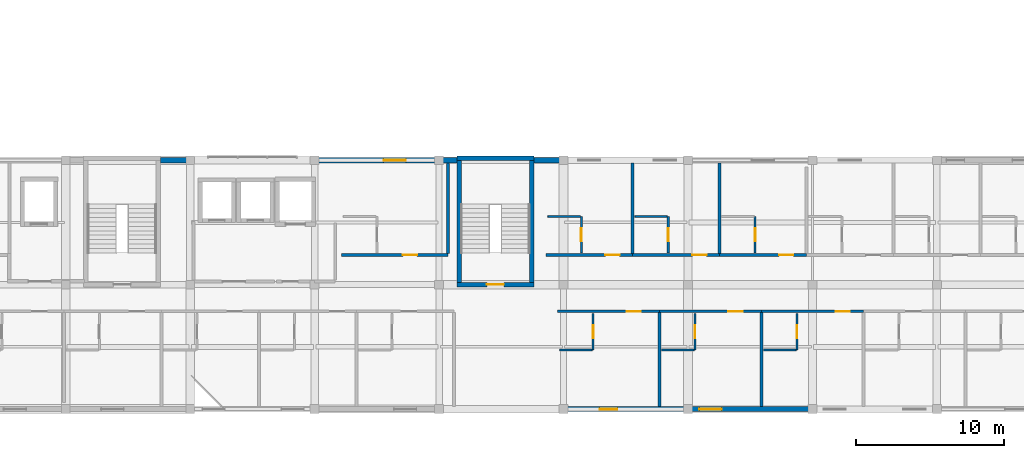
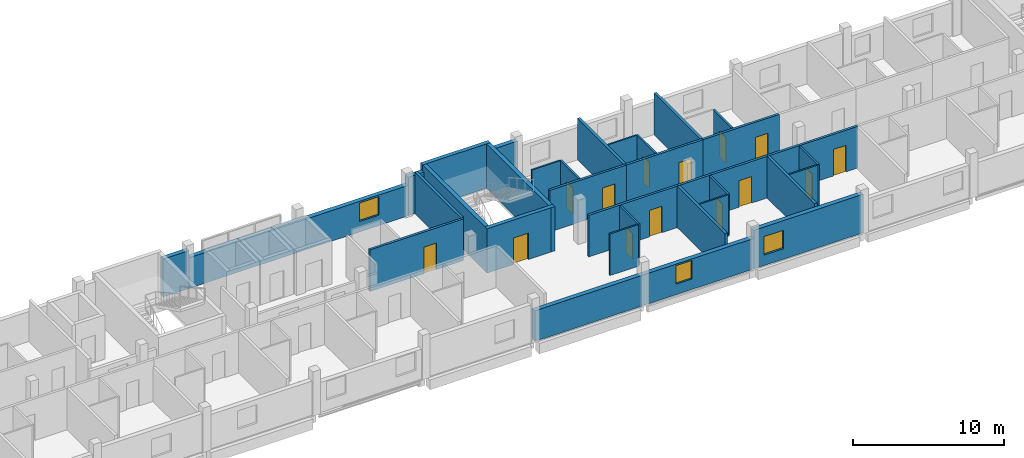
# One storey, part 18 of 24: 33 walls, 14 doors, 3 windows, 17 openings.
"""IFC4 building model written with IfcOpenShell, lengths in metres."""

import ifcopenshell
import ifcopenshell.guid

model = None  # the IFC model being written
_history = None  # IfcOwnerHistory: only IFC2X3 demands one
_inside = {}  # id of a spatial element -> (the spatial element, [elements in it])
_under = {}  # id of a project, library or spatial element -> (it, [spatial elements below it])
_declared = {}  # id of a project -> (the project, [libraries it declares])
_typed = {}  # id of a type object -> (the type object, [elements of that type])
_made_of = {}  # id of a material, layer set ... -> (it, [elements and type objects made of it])


def new_model(schema):
    """Start an empty IFC model of exactly this schema.

    Asked for "IFC4X3", IfcOpenShell would pick the latest addendum, in which some entities
    have other attributes; the version numbers below select the first issue.
    IFC2X3 requires an IfcOwnerHistory on every rooted entity: one is made here for all.
    """
    global model, _history
    if schema == "IFC4X3":
        model = ifcopenshell.file(schema_version=(4, 3, 0, 0))
    else:
        model = ifcopenshell.file(schema=schema)
    _inside.clear()
    _under.clear()
    _declared.clear()
    _typed.clear()
    _made_of.clear()
    _history = None
    if model.schema == "IFC2X3":
        org = make("IfcOrganization", Name="unknown")
        user = make(
            "IfcPersonAndOrganization",
            ThePerson=make("IfcPerson", FamilyName="unknown"),
            TheOrganization=org,
        )
        app = make(
            "IfcApplication",
            ApplicationDeveloper=org,
            Version="unknown",
            ApplicationFullName="unknown",
            ApplicationIdentifier="unknown",
        )
        _history = make(
            "IfcOwnerHistory",
            OwningUser=user,
            OwningApplication=app,
            ChangeAction="ADDED",
            CreationDate=0,
        )
    return model


def make(cls, **values):
    """One entity of the class cls with the attributes given. An attribute that is None is left unset."""
    return model.create_entity(
        cls, **{name: value for name, value in values.items() if value is not None}
    )


def rooted(cls, **values):
    """An entity with a GlobalId (a new one), such as an element, a storey or a relation."""
    return make(cls, GlobalId=ifcopenshell.guid.new(), OwnerHistory=_history, **values)


def si_unit(unit_type, name, prefix=None):
    """IfcSIUnit, for example si_unit("LENGTHUNIT", "METRE", prefix="MILLI")."""
    return make("IfcSIUnit", UnitType=unit_type, Prefix=prefix, Name=name)


def derived_unit(unit_type, elements):
    """IfcDerivedUnit: a product of units, each with its exponent."""
    return make(
        "IfcDerivedUnit",
        Elements=[
            make("IfcDerivedUnitElement", Unit=unit, Exponent=power)
            for unit, power in elements
        ],
        UnitType=unit_type,
    )


def assignment(units):
    """IfcUnitAssignment: the units of a project."""
    return None if units is None else make("IfcUnitAssignment", Units=units)


def point(xyz):
    """IfcCartesianPoint."""
    return None if xyz is None else make("IfcCartesianPoint", Coordinates=xyz)


def direction(xyz):
    """IfcDirection."""
    return None if xyz is None else make("IfcDirection", DirectionRatios=xyz)


def frame(location, z_axis=None, x_axis=None):
    """IfcAxis2Placement3D, a coordinate frame: its origin and axes. An axis left out is left unset."""
    return make(
        "IfcAxis2Placement3D",
        Location=point(location),
        Axis=direction(z_axis),
        RefDirection=direction(x_axis),
    )


def frame_2d(location, x_axis=None):
    """IfcAxis2Placement2D, a coordinate frame in the plane: its origin and x axis."""
    return make(
        "IfcAxis2Placement2D", Location=point(location), RefDirection=direction(x_axis)
    )


def origin():
    """The frame at (0, 0, 0) with its axes left unset."""
    return frame((0.0, 0.0, 0.0))


def place(relative_to, where):
    """IfcLocalPlacement: puts the frame where relative to a parent placement (None: the world)."""
    return make(
        "IfcLocalPlacement", PlacementRelTo=relative_to, RelativePlacement=where
    )


def context(
    kind, dimensions, precision=None, world=None, true_north=None, identifier=None
):
    """IfcGeometricRepresentationContext, for example the 3D "Model" context."""
    return make(
        "IfcGeometricRepresentationContext",
        ContextIdentifier=identifier,
        ContextType=kind,
        CoordinateSpaceDimension=dimensions,
        Precision=precision,
        WorldCoordinateSystem=world,
        TrueNorth=true_north,
    )


def subcontext(parent, identifier, kind, view, scale=None):
    """IfcGeometricRepresentationSubContext, for example "Body" below "Model"."""
    return make(
        "IfcGeometricRepresentationSubContext",
        ContextIdentifier=identifier,
        ContextType=kind,
        ParentContext=parent,
        TargetScale=scale,
        TargetView=view,
    )


def project(units=None, contexts=None):
    """IfcProject with its units and contexts."""
    return rooted(
        "IfcProject",
        Name="project",
        RepresentationContexts=contexts,
        UnitsInContext=assignment(units),
    )


def spatial(cls, under=None, at=None, **own):
    """A site, building, storey or space (cls), placed at a placement, below another one or the project."""
    s = rooted(cls, ObjectPlacement=at, **own)
    if under is not None:
        _under.setdefault(under.id(), (under, []))[1].append(s)
    return s


def profile(cls, at=None, kind="AREA", **sizes):
    """A parametric profile (cls). Its sizes go by their IFC names, for example OverallWidth=200.0."""
    return make(cls, ProfileType=kind, Position=at, **sizes)


def rectangle(**sizes):
    """IfcRectangleProfileDef."""
    return profile("IfcRectangleProfileDef", **sizes)


def extrude(swept, where, along, depth):
    """IfcExtrudedAreaSolid: the profile swept, set in the frame where, extruded along a direction by depth."""
    return make(
        "IfcExtrudedAreaSolid",
        SweptArea=swept,
        Position=where,
        ExtrudedDirection=direction(along),
        Depth=depth,
    )


def shape(context_of_items, identifier, shape_type, items):
    """IfcShapeRepresentation: the items that make up one representation, for example the "Body"."""
    return make(
        "IfcShapeRepresentation",
        ContextOfItems=context_of_items,
        RepresentationIdentifier=identifier,
        RepresentationType=shape_type,
        Items=items,
    )


def material(Name=None, Category=None):
    """IfcMaterial."""
    return make("IfcMaterial", Name=Name, Category=Category)


def layer(
    of_material, thickness, ventilated=None, Name=None, Category=None, Priority=None
):
    """IfcMaterialLayer: one layer of a wall or slab, of a material (None: an air gap)."""
    return make(
        "IfcMaterialLayer",
        Material=of_material,
        LayerThickness=thickness,
        IsVentilated=ventilated,
        Name=Name,
        Category=Category,
        Priority=Priority,
    )


def layer_set(layers, Name=None):
    """IfcMaterialLayerSet."""
    return make("IfcMaterialLayerSet", MaterialLayers=layers, LayerSetName=Name)


def made_of(thing, what):
    """Note that an element or type object is made of a material, layer set ...; save() writes the relation."""
    if what is not None:
        _made_of.setdefault(what.id(), (what, []))[1].append(thing)
    return thing


def type_object(cls, material=None, **own):
    """A type object (cls), such as IfcWallType, which elements share."""
    return made_of(rooted(cls, **own), material)


def element(
    cls,
    number,
    at=None,
    inside=None,
    cuts=None,
    type_object=None,
    material=None,
    context=None,
    identifier="Body",
    shape_type=None,
    held_by="IfcProductDefinitionShape",
    body=None,
    shapes=None,
    **own,
):
    """One element of the class cls, such as IfcWall. Its Tag is "e" and its number.

    at: its placement. inside: the storey or other place that contains it. cuts: it is an
    opening in that element (IfcRelVoidsElement). A single representation is given by context,
    identifier, shape_type and body (its items); several are given by shapes. held_by: the class
    of the entity that holds the representations. save() writes the other relations.
    """
    e = rooted(cls, Tag="e%d" % number, ObjectPlacement=at, **own)
    if body is not None:
        shapes = [shape(context, identifier, shape_type, body)]
    if shapes is not None:
        e.Representation = make(held_by, Representations=shapes)
    if inside is not None:
        _inside.setdefault(inside.id(), (inside, []))[1].append(e)
    if cuts is not None:
        rooted(
            "IfcRelVoidsElement", RelatingBuildingElement=cuts, RelatedOpeningElement=e
        )
    if type_object is not None:
        _typed.setdefault(type_object.id(), (type_object, []))[1].append(e)
    return made_of(e, material)


def fill(opening, filler):
    """IfcRelFillsElement: the door or window that sits in an opening."""
    return rooted(
        "IfcRelFillsElement",
        RelatingOpeningElement=opening,
        RelatedBuildingElement=filler,
    )


def aggregate(whole, parts):
    """IfcRelAggregates: a whole, such as a stair, and the parts it consists of."""
    return rooted("IfcRelAggregates", RelatingObject=whole, RelatedObjects=parts)


def save(model, path):
    """Write the relations noted so far, then the file.

    IfcRelAggregates (storeys below a building ...), IfcRelContainedInSpatialStructure (elements
    in a storey), IfcRelDefinesByType, IfcRelAssociatesMaterial and IfcRelDeclares: one each for
    every whole, place, type object, material and project.
    """
    for whole, parts in _under.values():
        aggregate(whole, parts)
    for where, things in _inside.values():
        rooted(
            "IfcRelContainedInSpatialStructure",
            RelatedElements=things,
            RelatingStructure=where,
        )
    for kind, things in _typed.values():
        rooted("IfcRelDefinesByType", RelatedObjects=things, RelatingType=kind)
    for what, things in _made_of.values():
        rooted("IfcRelAssociatesMaterial", RelatedObjects=things, RelatingMaterial=what)
    for by, libraries in _declared.values():
        rooted("IfcRelDeclares", RelatingContext=by, RelatedDefinitions=libraries)
    model.write(path)


model = new_model("IFC4")

# Units and contexts
model_context = context("Model", 3, precision=1e-05, world=origin(), true_north=direction((0.0, 1.0)))
body_context = subcontext(model_context, "Body", "Model", "MODEL_VIEW")
ifc_project = project(units=[si_unit("LENGTHUNIT", "METRE"), si_unit("AREAUNIT", "SQUARE_METRE"), si_unit("VOLUMEUNIT", "CUBIC_METRE"), si_unit("PLANEANGLEUNIT", "RADIAN"), si_unit("MASSUNIT", "GRAM", prefix="KILO"), derived_unit("THERMALTRANSMITTANCEUNIT", [(si_unit("POWERUNIT", "WATT"), 1), (si_unit("LENGTHUNIT", "METRE"), -2), (si_unit("THERMODYNAMICTEMPERATUREUNIT", "KELVIN"), -1)])], contexts=[model_context])

# Site, building, storey
site_placement = place(None, origin())
site = spatial("IfcSite", under=ifc_project, at=site_placement, CompositionType="ELEMENT")
building_placement = place(site_placement, origin())
building = spatial("IfcBuilding", under=site, at=building_placement, Name="Barrovel Congress Hotel", CompositionType="ELEMENT")
storey_placement = place(building_placement, frame((0.0, 0.0, 29.10009765625)))
storey = spatial("IfcBuildingStorey", under=building, at=storey_placement, Name="L07", CompositionType="ELEMENT", Elevation=29.10009765625)

# Wall, opening, window
ifc_material_1 = material(Name="Fired Clay Brick Masonry", Category="masonry")
ifc_layer_1 = layer(ifc_material_1, 0.340087890625)
ifc_layer_set_1 = layer_set([ifc_layer_1], Name="Fired Clay Brick Masonry")
wall_type_1 = type_object("IfcWallType", Name="EW-BRK340", PredefinedType="STANDARD", material=ifc_layer_set_1)
wall_1_placement = place(storey_placement, frame((100.800048828125, 21.0, 0.0), z_axis=(0.0, 0.0, 1.0), x_axis=(-1.0, 0.0, 0.0)))
wall_1 = element("IfcWall", 1, at=wall_1_placement, inside=storey, type_object=wall_type_1, Name="EW:L07:HS-NE-3", PredefinedType="STANDARD", context=body_context, shape_type="SweptSolid", body=[
    extrude(rectangle(XDim=16.800048828125, YDim=0.340087890625, at=frame_2d((8.39990234375, 0.0))), origin(), (0.0, 0.0, 1.0), 2.47998046875),
])
opening_1_placement = place(wall_1_placement, frame((2.25, 0.0, 0.85009765625)))
opening_1 = element("IfcOpeningElement", 2, at=opening_1_placement, cuts=wall_1, Name="Opening WN-07", PredefinedType="OPENING", context=body_context, shape_type="SweptSolid", body=[
    extrude(rectangle(XDim=1.5, YDim=1.5, at=frame_2d((0.75, 0.75))), frame((0.0, 0.18017578125, 0.0), z_axis=(0.0, -1.0, 0.0), x_axis=(1.0, 0.0, 0.0)), (0.0, 0.0, 1.0), 0.360107421875),
])
ifc_material_2 = material(Name="Double Low-E Insulated Glazing", Category="glass")
window_type_1 = type_object("IfcWindowType", Name="WIN-WN-07", PartitioningType="SINGLE_PANEL", PredefinedType="WINDOW", material=ifc_material_2)
window_1_placement = place(opening_1_placement, origin())
window_1 = element("IfcWindow", 3, at=window_1_placement, inside=storey, type_object=window_type_1, Name="WIN:L07:U21", OverallHeight=1.5, OverallWidth=1.5, PartitioningType="SINGLE_PANEL", PredefinedType="WINDOW", context=body_context, shape_type="SweptSolid", body=[
    extrude(rectangle(XDim=1.5, YDim=1.5, at=frame_2d((0.75, 0.75))), frame((0.0, 0.030029296875, 0.0), z_axis=(0.0, -1.0, 0.0), x_axis=(1.0, 0.0, 0.0)), (0.0, 0.0, 1.0), 0.06005859375),
])
fill(opening_1, window_1)

wall_2_placement = place(storey_placement, frame((100.800048828125, 4.199951171875, 0.0), z_axis=(0.0, 0.0, 1.0), x_axis=(1.0, 0.0, 0.0)))
wall_2 = element("IfcWall", 4, at=wall_2_placement, inside=storey, type_object=wall_type_1, Name="EW:L07:HS-S:P10", PredefinedType="STANDARD", context=body_context, shape_type="SweptSolid", body=[
    extrude(rectangle(XDim=16.800048828125, YDim=0.340087890625, at=frame_2d((8.39990234375, 0.0))), origin(), (0.0, 0.0, 1.0), 2.47998046875),
])
opening_2_placement = place(wall_2_placement, frame((10.840087890625, 0.0, 0.85009765625)))
opening_2 = element("IfcOpeningElement", 5, at=opening_2_placement, cuts=wall_2, Name="Opening WN-06", PredefinedType="OPENING", context=body_context, shape_type="SweptSolid", body=[
    extrude(rectangle(XDim=1.199951171875, YDim=1.5, at=frame_2d((0.60009765625, 0.75))), frame((0.0, 0.18017578125, 0.0), z_axis=(0.0, -1.0, 0.0), x_axis=(1.0, 0.0, 0.0)), (0.0, 0.0, 1.0), 0.360107421875),
])
window_type_2 = type_object("IfcWindowType", Name="WIN-WN-06", PartitioningType="SINGLE_PANEL", PredefinedType="WINDOW", material=ifc_material_2)
window_2_placement = place(opening_2_placement, origin())
window_2 = element("IfcWindow", 6, at=window_2_placement, inside=storey, type_object=window_type_2, Name="WIN:L07:U14", OverallHeight=1.5, OverallWidth=1.199951171875, PartitioningType="SINGLE_PANEL", PredefinedType="WINDOW", context=body_context, shape_type="SweptSolid", body=[
    extrude(rectangle(XDim=1.199951171875, YDim=1.5, at=frame_2d((0.60009765625, 0.75))), frame((0.0, 0.030029296875, 0.0), z_axis=(0.0, -1.0, 0.0), x_axis=(1.0, 0.0, 0.0)), (0.0, 0.0, 1.0), 0.06005859375),
])
fill(opening_2, window_2)

wall_3_placement = place(storey_placement, frame((117.60009765625, 4.199951171875, 0.0), z_axis=(0.0, 0.0, 1.0), x_axis=(1.0, 0.0, 0.0)))
wall_3 = element("IfcWall", 7, at=wall_3_placement, inside=storey, type_object=wall_type_1, Name="EW:L07:HS-S:P11", PredefinedType="STANDARD", context=body_context, shape_type="SweptSolid", body=[
    extrude(rectangle(XDim=8.39990234375, YDim=0.340087890625, at=frame_2d((4.199951171875, 0.0))), origin(), (0.0, 0.0, 1.0), 3.1259765625),
])
opening_3_placement = place(wall_3_placement, frame((0.77001953125, 0.0, 0.85009765625)))
opening_3 = element("IfcOpeningElement", 8, at=opening_3_placement, cuts=wall_3, Name="Opening WN-07", PredefinedType="OPENING", context=body_context, shape_type="SweptSolid", body=[
    extrude(rectangle(XDim=1.5, YDim=1.5, at=frame_2d((0.75, 0.75))), frame((0.0, 0.18017578125, 0.0), z_axis=(0.0, -1.0, 0.0), x_axis=(1.0, 0.0, 0.0)), (0.0, 0.0, 1.0), 0.360107421875),
])
window_3_placement = place(opening_3_placement, origin())
window_3 = element("IfcWindow", 9, at=window_3_placement, inside=storey, type_object=window_type_1, Name="WIN:L07:U15", OverallHeight=1.5, OverallWidth=1.5, PartitioningType="SINGLE_PANEL", PredefinedType="WINDOW", context=body_context, shape_type="SweptSolid", body=[
    extrude(rectangle(XDim=1.5, YDim=1.5, at=frame_2d((0.75, 0.75))), frame((0.0, 0.030029296875, 0.0), z_axis=(0.0, -1.0, 0.0), x_axis=(1.0, 0.0, 0.0)), (0.0, 0.0, 1.0), 0.06005859375),
])
fill(opening_3, window_3)

# Walls
wall_4_placement = place(storey_placement, frame((109.199951171875, 21.0, 0.0), z_axis=(0.0, 0.0, 1.0), x_axis=(-1.0, 0.0, 0.0)))
element("IfcWall", 10, at=wall_4_placement, inside=storey, type_object=wall_type_1, Name="EW:L07:HS-NE-2:P04", PredefinedType="STANDARD", context=body_context, shape_type="SweptSolid", body=[
    extrude(rectangle(XDim=2.0, YDim=0.340087890625, at=frame_2d((1.0, 0.0))), origin(), (0.0, 0.0, 1.0), 3.1259765625),
])
wall_5_placement = place(storey_placement, frame((102.0, 21.0, 0.0), z_axis=(0.0, 0.0, 1.0), x_axis=(-1.0, 0.0, 0.0)))
element("IfcWall", 11, at=wall_5_placement, inside=storey, type_object=wall_type_1, Name="EW:L07:HS-NE-3:P01", PredefinedType="STANDARD", context=body_context, shape_type="SweptSolid", body=[
    extrude(rectangle(XDim=1.199951171875, YDim=0.340087890625, at=frame_2d((0.60009765625, 0.0))), origin(), (0.0, 0.0, 1.0), 3.1259765625),
])
wall_6_placement = place(storey_placement, frame((84.0, 21.0, 0.0), z_axis=(0.0, 0.0, 1.0), x_axis=(-1.0, 0.0, 0.0)))
element("IfcWall", 12, at=wall_6_placement, inside=storey, type_object=wall_type_1, Name="EW:L07:HS-NE-3:P03", PredefinedType="STANDARD", context=body_context, shape_type="SweptSolid", body=[
    extrude(rectangle(XDim=2.0, YDim=0.340087890625, at=frame_2d((1.0, 0.0))), origin(), (0.0, 0.0, 1.0), 3.06982421875),
])

# Wall, opening, door
ifc_material_3 = material(Name="Gypsum Acoustic Stud", Category="gypsum")
ifc_layer_2 = layer(ifc_material_3, 0.179931640625)
ifc_layer_set_2 = layer_set([ifc_layer_2], Name="Gypsum Acoustic Stud")
wall_type_2 = type_object("IfcWallType", Name="PW-ACU-180", PredefinedType="PARTITIONING", material=ifc_layer_set_2)
wall_7_placement = place(storey_placement, frame((108.800048828125, 10.800048828125, 0.0), z_axis=(0.0, 0.0, 1.0), x_axis=(1.0, 0.0, 0.0)))
wall_7 = element("IfcWall", 13, at=wall_7_placement, inside=storey, type_object=wall_type_2, Name="PW:L07:U14:COR", PredefinedType="PARTITIONING", context=body_context, shape_type="SweptSolid", body=[
    extrude(rectangle(XDim=6.8798828125, YDim=0.179931640625, at=frame_2d((3.43994140625, 0.0))), origin(), (0.0, 0.0, 1.0), 3.375),
])
opening_4_placement = place(wall_7_placement, frame((4.652587890625, 0.0, 0.0)))
opening_4 = element("IfcOpeningElement", 14, at=opening_4_placement, cuts=wall_7, Name="Opening ID-HTL", PredefinedType="OPENING", context=body_context, shape_type="SweptSolid", body=[
    extrude(rectangle(XDim=0.9599609375, YDim=2.14990234375, at=frame_2d((0.47998046875, 1.074951171875))), frame((0.0, 0.10009765625, 0.0), z_axis=(0.0, -1.0, 0.0), x_axis=(1.0, 0.0, 0.0)), (0.0, 0.0, 1.0), 0.199951171875),
])
ifc_material_4 = material(Name="Solid Oak Acoustic Timber Door", Category="wood")
door_type_1 = type_object("IfcDoorType", Name="IDR-ID-HTL", OperationType="NOTDEFINED", PredefinedType="DOOR", material=ifc_material_4)
door_1_placement = place(opening_4_placement, origin())
door_1 = element("IfcDoor", 15, at=door_1_placement, inside=storey, type_object=door_type_1, Name="DR:L07:U14:ENT", OperationType="SINGLE_SWING_RIGHT", OverallHeight=2.14990234375, OverallWidth=0.9599609375, PredefinedType="DOOR", context=body_context, shape_type="SweptSolid", body=[
    extrude(rectangle(XDim=0.9599609375, YDim=2.14990234375, at=frame_2d((0.47998046875, 1.074951171875))), frame((0.0, 0.02490234375, 0.0), z_axis=(0.0, -1.0, 0.0), x_axis=(1.0, 0.0, 0.0)), (0.0, 0.0, 1.0), 0.050048828125),
])
fill(opening_4, door_1)

wall_8_placement = place(storey_placement, frame((115.679931640625, 10.800048828125, 0.0), z_axis=(0.0, 0.0, 1.0), x_axis=(1.0, 0.0, 0.0)))
wall_8 = element("IfcWall", 16, at=wall_8_placement, inside=storey, type_object=wall_type_2, Name="PW:L07:U15:COR", PredefinedType="PARTITIONING", context=body_context, shape_type="SweptSolid", body=[
    extrude(rectangle(XDim=6.880126953125, YDim=0.179931640625, at=frame_2d((3.43994140625, 0.0))), origin(), (0.0, 0.0, 1.0), 3.375),
])
opening_5_placement = place(wall_8_placement, frame((4.652587890625, 0.0, 0.0)))
opening_5 = element("IfcOpeningElement", 17, at=opening_5_placement, cuts=wall_8, Name="Opening ID-HTL", PredefinedType="OPENING", context=body_context, shape_type="SweptSolid", body=[
    extrude(rectangle(XDim=0.9599609375, YDim=2.14990234375, at=frame_2d((0.47998046875, 1.074951171875))), frame((0.0, 0.10009765625, 0.0), z_axis=(0.0, -1.0, 0.0), x_axis=(1.0, 0.0, 0.0)), (0.0, 0.0, 1.0), 0.199951171875),
])
door_2_placement = place(opening_5_placement, origin())
door_2 = element("IfcDoor", 18, at=door_2_placement, inside=storey, type_object=door_type_1, Name="DR:L07:U15:ENT", OperationType="SINGLE_SWING_RIGHT", OverallHeight=2.14990234375, OverallWidth=0.9599609375, PredefinedType="DOOR", context=body_context, shape_type="SweptSolid", body=[
    extrude(rectangle(XDim=0.9599609375, YDim=2.14990234375, at=frame_2d((0.47998046875, 1.074951171875))), frame((0.0, 0.02490234375, 0.0), z_axis=(0.0, -1.0, 0.0), x_axis=(1.0, 0.0, 0.0)), (0.0, 0.0, 1.0), 0.050048828125),
])
fill(opening_5, door_2)

wall_9_placement = place(storey_placement, frame((122.56005859375, 10.800048828125, 0.0), z_axis=(0.0, 0.0, 1.0), x_axis=(1.0, 0.0, 0.0)))
wall_9 = element("IfcWall", 19, at=wall_9_placement, inside=storey, type_object=wall_type_2, Name="PW:L07:U16:COR", PredefinedType="PARTITIONING", context=body_context, shape_type="SweptSolid", body=[
    extrude(rectangle(XDim=6.8798828125, YDim=0.179931640625, at=frame_2d((3.43994140625, 0.0))), origin(), (0.0, 0.0, 1.0), 3.375),
])
opening_6_placement = place(wall_9_placement, frame((5.002685546875, 0.0, 0.0)))
opening_6 = element("IfcOpeningElement", 20, at=opening_6_placement, cuts=wall_9, Name="Opening ID-HTL", PredefinedType="OPENING", context=body_context, shape_type="SweptSolid", body=[
    extrude(rectangle(XDim=0.9599609375, YDim=2.14990234375, at=frame_2d((0.47998046875, 1.074951171875))), frame((0.0, 0.10009765625, 0.0), z_axis=(0.0, -1.0, 0.0), x_axis=(1.0, 0.0, 0.0)), (0.0, 0.0, 1.0), 0.199951171875),
])
door_3_placement = place(opening_6_placement, origin())
door_3 = element("IfcDoor", 21, at=door_3_placement, inside=storey, type_object=door_type_1, Name="DR:L07:U16:ENT", OperationType="SINGLE_SWING_RIGHT", OverallHeight=2.14990234375, OverallWidth=0.9599609375, PredefinedType="DOOR", context=body_context, shape_type="SweptSolid", body=[
    extrude(rectangle(XDim=0.9599609375, YDim=2.14990234375, at=frame_2d((0.47998046875, 1.074951171875))), frame((0.0, 0.02490234375, 0.0), z_axis=(0.0, -1.0, 0.0), x_axis=(1.0, 0.0, 0.0)), (0.0, 0.0, 1.0), 0.050048828125),
])
fill(opening_6, door_3)

wall_10_placement = place(storey_placement, frame((94.199951171875, 14.60009765625, 0.0), z_axis=(0.0, 0.0, 1.0), x_axis=(1.0, 0.0, 0.0)))
wall_10 = element("IfcWall", 22, at=wall_10_placement, inside=storey, type_object=wall_type_2, Name="PW:L07:U21:COR", PredefinedType="PARTITIONING", context=body_context, shape_type="SweptSolid", body=[
    extrude(rectangle(XDim=7.199951171875, YDim=0.179931640625, at=frame_2d((3.60009765625, 0.0))), origin(), (0.0, 0.0, 1.0), 3.375),
])
opening_7_placement = place(wall_10_placement, frame((4.15087890625, 0.0, 0.0)))
opening_7 = element("IfcOpeningElement", 23, at=opening_7_placement, cuts=wall_10, Name="Opening ID-HTL", PredefinedType="OPENING", context=body_context, shape_type="SweptSolid", body=[
    extrude(rectangle(XDim=0.9599609375, YDim=2.14990234375, at=frame_2d((0.47998046875, 1.074951171875))), frame((0.0, 0.10009765625, 0.0), z_axis=(0.0, -1.0, 0.0), x_axis=(1.0, 0.0, 0.0)), (0.0, 0.0, 1.0), 0.199951171875),
])
door_4_placement = place(opening_7_placement, origin())
door_4 = element("IfcDoor", 24, at=door_4_placement, inside=storey, type_object=door_type_1, Name="DR:L07:U21:ENT", OperationType="SINGLE_SWING_RIGHT", OverallHeight=2.14990234375, OverallWidth=0.9599609375, PredefinedType="DOOR", context=body_context, shape_type="SweptSolid", body=[
    extrude(rectangle(XDim=0.9599609375, YDim=2.14990234375, at=frame_2d((0.47998046875, 1.074951171875))), frame((0.0, 0.02490234375, 0.0), z_axis=(0.0, -1.0, 0.0), x_axis=(1.0, 0.0, 0.0)), (0.0, 0.0, 1.0), 0.050048828125),
])
fill(opening_7, door_4)

wall_11_placement = place(storey_placement, frame((108.0, 14.60009765625, 0.0), z_axis=(0.0, 0.0, 1.0), x_axis=(1.0, 0.0, 0.0)))
wall_11 = element("IfcWall", 25, at=wall_11_placement, inside=storey, type_object=wall_type_2, Name="PW:L07:U22:COR", PredefinedType="PARTITIONING", context=body_context, shape_type="SweptSolid", body=[
    extrude(rectangle(XDim=5.86669921875, YDim=0.179931640625, at=frame_2d((2.933349609375, 0.0))), origin(), (0.0, 0.0, 1.0), 3.375),
])
opening_8_placement = place(wall_11_placement, frame((4.0244140625, 0.0, 0.0)))
opening_8 = element("IfcOpeningElement", 26, at=opening_8_placement, cuts=wall_11, Name="Opening ID-HTL", PredefinedType="OPENING", context=body_context, shape_type="SweptSolid", body=[
    extrude(rectangle(XDim=0.9599609375, YDim=2.14990234375, at=frame_2d((0.47998046875, 1.074951171875))), frame((0.0, 0.10009765625, 0.0), z_axis=(0.0, -1.0, 0.0), x_axis=(1.0, 0.0, 0.0)), (0.0, 0.0, 1.0), 0.199951171875),
])
door_5_placement = place(opening_8_placement, origin())
door_5 = element("IfcDoor", 27, at=door_5_placement, inside=storey, type_object=door_type_1, Name="DR:L07:U22:ENT", OperationType="SINGLE_SWING_RIGHT", OverallHeight=2.14990234375, OverallWidth=0.9599609375, PredefinedType="DOOR", context=body_context, shape_type="SweptSolid", body=[
    extrude(rectangle(XDim=0.9599609375, YDim=2.14990234375, at=frame_2d((0.47998046875, 1.074951171875))), frame((0.0, 0.02490234375, 0.0), z_axis=(0.0, -1.0, 0.0), x_axis=(1.0, 0.0, 0.0)), (0.0, 0.0, 1.0), 0.050048828125),
])
fill(opening_8, door_5)

wall_12_placement = place(storey_placement, frame((113.86669921875, 14.60009765625, 0.0), z_axis=(0.0, 0.0, 1.0), x_axis=(1.0, 0.0, 0.0)))
wall_12 = element("IfcWall", 28, at=wall_12_placement, inside=storey, type_object=wall_type_2, Name="PW:L07:U23:COR", PredefinedType="PARTITIONING", context=body_context, shape_type="SweptSolid", body=[
    extrude(rectangle(XDim=5.86669921875, YDim=0.179931640625, at=frame_2d((2.933349609375, 0.0))), origin(), (0.0, 0.0, 1.0), 3.375),
])
opening_9_placement = place(wall_12_placement, frame((4.0244140625, 0.0, 0.0)))
opening_9 = element("IfcOpeningElement", 29, at=opening_9_placement, cuts=wall_12, Name="Opening ID-HTL", PredefinedType="OPENING", context=body_context, shape_type="SweptSolid", body=[
    extrude(rectangle(XDim=0.9599609375, YDim=2.14990234375, at=frame_2d((0.47998046875, 1.074951171875))), frame((0.0, 0.10009765625, 0.0), z_axis=(0.0, -1.0, 0.0), x_axis=(1.0, 0.0, 0.0)), (0.0, 0.0, 1.0), 0.199951171875),
])
door_6_placement = place(opening_9_placement, origin())
door_6 = element("IfcDoor", 30, at=door_6_placement, inside=storey, type_object=door_type_1, Name="DR:L07:U23:ENT", OperationType="SINGLE_SWING_RIGHT", OverallHeight=2.14990234375, OverallWidth=0.9599609375, PredefinedType="DOOR", context=body_context, shape_type="SweptSolid", body=[
    extrude(rectangle(XDim=0.9599609375, YDim=2.14990234375, at=frame_2d((0.47998046875, 1.074951171875))), frame((0.0, 0.02490234375, 0.0), z_axis=(0.0, -1.0, 0.0), x_axis=(1.0, 0.0, 0.0)), (0.0, 0.0, 1.0), 0.050048828125),
])
fill(opening_9, door_6)

wall_13_placement = place(storey_placement, frame((119.7333984375, 14.60009765625, 0.0), z_axis=(0.0, 0.0, 1.0), x_axis=(1.0, 0.0, 0.0)))
wall_13 = element("IfcWall", 31, at=wall_13_placement, inside=storey, type_object=wall_type_2, Name="PW:L07:U24:COR", PredefinedType="PARTITIONING", context=body_context, shape_type="SweptSolid", body=[
    extrude(rectangle(XDim=5.86669921875, YDim=0.179931640625, at=frame_2d((2.933349609375, 0.0))), origin(), (0.0, 0.0, 1.0), 3.375),
])
opening_10_placement = place(wall_13_placement, frame((4.0244140625, 0.0, 0.0)))
opening_10 = element("IfcOpeningElement", 32, at=opening_10_placement, cuts=wall_13, Name="Opening ID-HTL", PredefinedType="OPENING", context=body_context, shape_type="SweptSolid", body=[
    extrude(rectangle(XDim=0.9599609375, YDim=2.14990234375, at=frame_2d((0.47998046875, 1.074951171875))), frame((0.0, 0.10009765625, 0.0), z_axis=(0.0, -1.0, 0.0), x_axis=(1.0, 0.0, 0.0)), (0.0, 0.0, 1.0), 0.199951171875),
])
door_7_placement = place(opening_10_placement, origin())
door_7 = element("IfcDoor", 33, at=door_7_placement, inside=storey, type_object=door_type_1, Name="DR:L07:U24:ENT", OperationType="SINGLE_SWING_RIGHT", OverallHeight=2.14990234375, OverallWidth=0.9599609375, PredefinedType="DOOR", context=body_context, shape_type="SweptSolid", body=[
    extrude(rectangle(XDim=0.9599609375, YDim=2.14990234375, at=frame_2d((0.47998046875, 1.074951171875))), frame((0.0, 0.02490234375, 0.0), z_axis=(0.0, -1.0, 0.0), x_axis=(1.0, 0.0, 0.0)), (0.0, 0.0, 1.0), 0.050048828125),
])
fill(opening_10, door_7)

# Walls
ifc_layer_3 = layer(ifc_material_3, 0.1201171875)
ifc_layer_set_3 = layer_set([ifc_layer_3], Name="Gypsum Acoustic Stud")
wall_type_3 = type_object("IfcWallType", Name="PW-INT-120", PredefinedType="PARTITIONING", material=ifc_layer_set_3)
for number, where, z_axis, x_axis, name in (
    (34, (108.93994140625, 8.199951171875, 0.0), (0.0, 0.0, 1.0), (1.0, 0.0, 0.0), "PW:L07:U14:B2"),
    (35, (115.820068359375, 8.199951171875, 0.0), (0.0, 0.0, 1.0), (1.0, 0.0, 0.0), "PW:L07:U15:B2"),
    (36, (122.699951171875, 8.199951171875, 0.0), (0.0, 0.0, 1.0), (1.0, 0.0, 0.0), "PW:L07:U16:B2"),
):
    element("IfcWall", number, at=place(storey_placement, frame(where, z_axis=z_axis, x_axis=x_axis)), inside=storey, type_object=wall_type_3, Name=name, PredefinedType="PARTITIONING", context=body_context, shape_type="SweptSolid", body=[
        extrude(rectangle(XDim=2.18994140625, YDim=0.1201171875, at=frame_2d((1.094970703125, 0.0))), origin(), (0.0, 0.0, 1.0), 3.375),
    ])
for number, where, z_axis, x_axis, name in (
    (37, (108.139892578125, 17.199951171875, 0.0), (0.0, 0.0, 1.0), (1.0, 0.0, 0.0), "PW:L07:U22:B2"),
    (38, (114.006591796875, 17.199951171875, 0.0), (0.0, 0.0, 1.0), (1.0, 0.0, 0.0), "PW:L07:U23:B2"),
):
    element("IfcWall", number, at=place(storey_placement, frame(where, z_axis=z_axis, x_axis=x_axis)), inside=storey, type_object=wall_type_3, Name=name, PredefinedType="PARTITIONING", context=body_context, shape_type="SweptSolid", body=[
        extrude(rectangle(XDim=2.190185546875, YDim=0.1201171875, at=frame_2d((1.09521484375, 0.0))), origin(), (0.0, 0.0, 1.0), 3.375),
    ])
ifc_layer_4 = layer(ifc_material_1, 0.199951171875)
ifc_layer_set_4 = layer_set([ifc_layer_4], Name="Fired Clay Brick Masonry")
wall_type_4 = type_object("IfcWallType", Name="PW-MAS-200", PredefinedType="PARTITIONING", material=ifc_layer_set_4)
for number, where, z_axis, x_axis, name in (
    (39, (115.679931640625, 4.3701171875, 0.0), (0.0, 0.0, 1.0), (0.0, 1.0, 0.0), "PW:L07:U14:DEM"),
    (40, (122.56005859375, 4.3701171875, 0.0), (0.0, 0.0, 1.0), (0.0, 1.0, 0.0), "PW:L07:U15:DEM"),
):
    element("IfcWall", number, at=place(storey_placement, frame(where, z_axis=z_axis, x_axis=x_axis)), inside=storey, type_object=wall_type_4, Name=name, PredefinedType="PARTITIONING", context=body_context, shape_type="SweptSolid", body=[
        extrude(rectangle(XDim=6.33984375, YDim=0.199951171875, at=frame_2d((3.169921875, 0.0))), origin(), (0.0, 0.0, 1.0), 3.375),
    ])
for number, where, z_axis, x_axis, name in (
    (41, (101.39990234375, 14.68994140625, 0.0), (0.0, 0.0, 1.0), (0.0, 1.0, 0.0), "PW:L07:U21:DEM"),
    (42, (113.86669921875, 14.68994140625, 0.0), (0.0, 0.0, 1.0), (0.0, 1.0, 0.0), "PW:L07:U22:DEM"),
    (43, (119.7333984375, 14.68994140625, 0.0), (0.0, 0.0, 1.0), (0.0, 1.0, 0.0), "PW:L07:U23:DEM"),
):
    element("IfcWall", number, at=place(storey_placement, frame(where, z_axis=z_axis, x_axis=x_axis)), inside=storey, type_object=wall_type_4, Name=name, PredefinedType="PARTITIONING", context=body_context, shape_type="SweptSolid", body=[
        extrude(rectangle(XDim=6.14013671875, YDim=0.199951171875, at=frame_2d((3.070068359375, 0.0))), origin(), (0.0, 0.0, 1.0), 3.375),
    ])

# Wall, opening, door
ifc_material_5 = material(Name="Gypsum Moisture Board", Category="gypsum")
ifc_layer_5 = layer(ifc_material_5, 0.139892578125)
ifc_layer_set_5 = layer_set([ifc_layer_5], Name="Gypsum Moisture Board")
wall_type_5 = type_object("IfcWallType", Name="PW-WET-140", PredefinedType="PARTITIONING", material=ifc_layer_set_5)
wall_14_placement = place(storey_placement, frame((111.199951171875, 8.199951171875, 0.0), z_axis=(0.0, 0.0, 1.0), x_axis=(0.0, 1.0, 0.0)))
wall_14 = element("IfcWall", 44, at=wall_14_placement, inside=storey, type_object=wall_type_5, Name="PW:L07:U14:B1", PredefinedType="PARTITIONING", context=body_context, shape_type="SweptSolid", body=[
    extrude(rectangle(XDim=2.4599609375, YDim=0.139892578125, at=frame_2d((1.22998046875, 0.0))), origin(), (0.0, 0.0, 1.0), 3.375),
])
opening_11_placement = place(wall_14_placement, frame((0.800048828125, 0.0, 0.0)))
opening_11 = element("IfcOpeningElement", 45, at=opening_11_placement, cuts=wall_14, Name="Opening ID-ENS", PredefinedType="OPENING", context=body_context, shape_type="SweptSolid", body=[
    extrude(rectangle(XDim=0.860107421875, YDim=2.10009765625, at=frame_2d((0.43017578125, 1.050048828125))), frame((0.0, 0.080078125, 0.0), z_axis=(0.0, -1.0, 0.0), x_axis=(1.0, 0.0, 0.0)), (0.0, 0.0, 1.0), 0.159912109375),
])
ifc_material_6 = material(Name="Lacquered Timber Moisture Door", Category="wood")
door_type_2 = type_object("IfcDoorType", Name="IDR-ID-ENS", OperationType="NOTDEFINED", PredefinedType="DOOR", material=ifc_material_6)
door_8_placement = place(opening_11_placement, origin())
door_8 = element("IfcDoor", 46, at=door_8_placement, inside=storey, type_object=door_type_2, Name="DR:L07:U14:ENS", OperationType="SINGLE_SWING_LEFT", OverallHeight=2.10009765625, OverallWidth=0.860107421875, PredefinedType="DOOR", context=body_context, shape_type="SweptSolid", body=[
    extrude(rectangle(XDim=0.860107421875, YDim=2.10009765625, at=frame_2d((0.43017578125, 1.050048828125))), frame((0.0, 0.02490234375, 0.0), z_axis=(0.0, -1.0, 0.0), x_axis=(1.0, 0.0, 0.0)), (0.0, 0.0, 1.0), 0.050048828125),
])
fill(opening_11, door_8)

wall_15_placement = place(storey_placement, frame((118.080078125, 8.199951171875, 0.0), z_axis=(0.0, 0.0, 1.0), x_axis=(0.0, 1.0, 0.0)))
wall_15 = element("IfcWall", 47, at=wall_15_placement, inside=storey, type_object=wall_type_5, Name="PW:L07:U15:B1", PredefinedType="PARTITIONING", context=body_context, shape_type="SweptSolid", body=[
    extrude(rectangle(XDim=2.4599609375, YDim=0.139892578125, at=frame_2d((1.22998046875, 0.0))), origin(), (0.0, 0.0, 1.0), 3.375),
])
opening_12_placement = place(wall_15_placement, frame((0.800048828125, 0.0, 0.0)))
opening_12 = element("IfcOpeningElement", 48, at=opening_12_placement, cuts=wall_15, Name="Opening ID-ENS", PredefinedType="OPENING", context=body_context, shape_type="SweptSolid", body=[
    extrude(rectangle(XDim=0.860107421875, YDim=2.10009765625, at=frame_2d((0.43017578125, 1.050048828125))), frame((0.0, 0.080078125, 0.0), z_axis=(0.0, -1.0, 0.0), x_axis=(1.0, 0.0, 0.0)), (0.0, 0.0, 1.0), 0.159912109375),
])
door_9_placement = place(opening_12_placement, origin())
door_9 = element("IfcDoor", 49, at=door_9_placement, inside=storey, type_object=door_type_2, Name="DR:L07:U15:ENS", OperationType="SINGLE_SWING_LEFT", OverallHeight=2.10009765625, OverallWidth=0.860107421875, PredefinedType="DOOR", context=body_context, shape_type="SweptSolid", body=[
    extrude(rectangle(XDim=0.860107421875, YDim=2.10009765625, at=frame_2d((0.43017578125, 1.050048828125))), frame((0.0, 0.02490234375, 0.0), z_axis=(0.0, -1.0, 0.0), x_axis=(1.0, 0.0, 0.0)), (0.0, 0.0, 1.0), 0.050048828125),
])
fill(opening_12, door_9)

wall_16_placement = place(storey_placement, frame((124.9599609375, 8.199951171875, 0.0), z_axis=(0.0, 0.0, 1.0), x_axis=(0.0, 1.0, 0.0)))
wall_16 = element("IfcWall", 50, at=wall_16_placement, inside=storey, type_object=wall_type_5, Name="PW:L07:U16:B1", PredefinedType="PARTITIONING", context=body_context, shape_type="SweptSolid", body=[
    extrude(rectangle(XDim=2.4599609375, YDim=0.139892578125, at=frame_2d((1.22998046875, 0.0))), origin(), (0.0, 0.0, 1.0), 3.375),
])
opening_13_placement = place(wall_16_placement, frame((0.800048828125, 0.0, 0.0)))
opening_13 = element("IfcOpeningElement", 51, at=opening_13_placement, cuts=wall_16, Name="Opening ID-ENS", PredefinedType="OPENING", context=body_context, shape_type="SweptSolid", body=[
    extrude(rectangle(XDim=0.860107421875, YDim=2.10009765625, at=frame_2d((0.43017578125, 1.050048828125))), frame((0.0, 0.080078125, 0.0), z_axis=(0.0, -1.0, 0.0), x_axis=(1.0, 0.0, 0.0)), (0.0, 0.0, 1.0), 0.159912109375),
])
door_10_placement = place(opening_13_placement, origin())
door_10 = element("IfcDoor", 52, at=door_10_placement, inside=storey, type_object=door_type_2, Name="DR:L07:U16:ENS", OperationType="SINGLE_SWING_LEFT", OverallHeight=2.10009765625, OverallWidth=0.860107421875, PredefinedType="DOOR", context=body_context, shape_type="SweptSolid", body=[
    extrude(rectangle(XDim=0.860107421875, YDim=2.10009765625, at=frame_2d((0.43017578125, 1.050048828125))), frame((0.0, 0.02490234375, 0.0), z_axis=(0.0, -1.0, 0.0), x_axis=(1.0, 0.0, 0.0)), (0.0, 0.0, 1.0), 0.050048828125),
])
fill(opening_13, door_10)

wall_17_placement = place(storey_placement, frame((110.39990234375, 14.739990234375, 0.0), z_axis=(0.0, 0.0, 1.0), x_axis=(0.0, 1.0, 0.0)))
wall_17 = element("IfcWall", 53, at=wall_17_placement, inside=storey, type_object=wall_type_5, Name="PW:L07:U22:B1", PredefinedType="PARTITIONING", context=body_context, shape_type="SweptSolid", body=[
    extrude(rectangle(XDim=2.4599609375, YDim=0.139892578125, at=frame_2d((1.22998046875, 0.0))), origin(), (0.0, 0.0, 1.0), 3.375),
])
opening_14_placement = place(wall_17_placement, frame((0.800048828125, 0.0, 0.0)))
opening_14 = element("IfcOpeningElement", 54, at=opening_14_placement, cuts=wall_17, Name="Opening ID-ENS", PredefinedType="OPENING", context=body_context, shape_type="SweptSolid", body=[
    extrude(rectangle(XDim=0.860107421875, YDim=2.10009765625, at=frame_2d((0.43017578125, 1.050048828125))), frame((0.0, 0.080078125, 0.0), z_axis=(0.0, -1.0, 0.0), x_axis=(1.0, 0.0, 0.0)), (0.0, 0.0, 1.0), 0.159912109375),
])
door_11_placement = place(opening_14_placement, origin())
door_11 = element("IfcDoor", 55, at=door_11_placement, inside=storey, type_object=door_type_2, Name="DR:L07:U22:ENS", OperationType="SINGLE_SWING_LEFT", OverallHeight=2.10009765625, OverallWidth=0.860107421875, PredefinedType="DOOR", context=body_context, shape_type="SweptSolid", body=[
    extrude(rectangle(XDim=0.860107421875, YDim=2.10009765625, at=frame_2d((0.43017578125, 1.050048828125))), frame((0.0, 0.02490234375, 0.0), z_axis=(0.0, -1.0, 0.0), x_axis=(1.0, 0.0, 0.0)), (0.0, 0.0, 1.0), 0.050048828125),
])
fill(opening_14, door_11)

wall_18_placement = place(storey_placement, frame((116.2666015625, 14.739990234375, 0.0), z_axis=(0.0, 0.0, 1.0), x_axis=(0.0, 1.0, 0.0)))
wall_18 = element("IfcWall", 56, at=wall_18_placement, inside=storey, type_object=wall_type_5, Name="PW:L07:U23:B1", PredefinedType="PARTITIONING", context=body_context, shape_type="SweptSolid", body=[
    extrude(rectangle(XDim=2.4599609375, YDim=0.139892578125, at=frame_2d((1.22998046875, 0.0))), origin(), (0.0, 0.0, 1.0), 3.375),
])
opening_15_placement = place(wall_18_placement, frame((0.800048828125, 0.0, 0.0)))
opening_15 = element("IfcOpeningElement", 57, at=opening_15_placement, cuts=wall_18, Name="Opening ID-ENS", PredefinedType="OPENING", context=body_context, shape_type="SweptSolid", body=[
    extrude(rectangle(XDim=0.860107421875, YDim=2.10009765625, at=frame_2d((0.43017578125, 1.050048828125))), frame((0.0, 0.080078125, 0.0), z_axis=(0.0, -1.0, 0.0), x_axis=(1.0, 0.0, 0.0)), (0.0, 0.0, 1.0), 0.159912109375),
])
door_12_placement = place(opening_15_placement, origin())
door_12 = element("IfcDoor", 58, at=door_12_placement, inside=storey, type_object=door_type_2, Name="DR:L07:U23:ENS", OperationType="SINGLE_SWING_LEFT", OverallHeight=2.10009765625, OverallWidth=0.860107421875, PredefinedType="DOOR", context=body_context, shape_type="SweptSolid", body=[
    extrude(rectangle(XDim=0.860107421875, YDim=2.10009765625, at=frame_2d((0.43017578125, 1.050048828125))), frame((0.0, 0.02490234375, 0.0), z_axis=(0.0, -1.0, 0.0), x_axis=(1.0, 0.0, 0.0)), (0.0, 0.0, 1.0), 0.050048828125),
])
fill(opening_15, door_12)

wall_19_placement = place(storey_placement, frame((122.13330078125, 14.739990234375, 0.0), z_axis=(0.0, 0.0, 1.0), x_axis=(0.0, 1.0, 0.0)))
wall_19 = element("IfcWall", 59, at=wall_19_placement, inside=storey, type_object=wall_type_5, Name="PW:L07:U24:B1", PredefinedType="PARTITIONING", context=body_context, shape_type="SweptSolid", body=[
    extrude(rectangle(XDim=2.4599609375, YDim=0.139892578125, at=frame_2d((1.22998046875, 0.0))), origin(), (0.0, 0.0, 1.0), 3.375),
])
opening_16_placement = place(wall_19_placement, frame((0.800048828125, 0.0, 0.0)))
opening_16 = element("IfcOpeningElement", 60, at=opening_16_placement, cuts=wall_19, Name="Opening ID-ENS", PredefinedType="OPENING", context=body_context, shape_type="SweptSolid", body=[
    extrude(rectangle(XDim=0.860107421875, YDim=2.10009765625, at=frame_2d((0.43017578125, 1.050048828125))), frame((0.0, 0.080078125, 0.0), z_axis=(0.0, -1.0, 0.0), x_axis=(1.0, 0.0, 0.0)), (0.0, 0.0, 1.0), 0.159912109375),
])
door_13_placement = place(opening_16_placement, origin())
door_13 = element("IfcDoor", 61, at=door_13_placement, inside=storey, type_object=door_type_2, Name="DR:L07:U24:ENS", OperationType="SINGLE_SWING_LEFT", OverallHeight=2.10009765625, OverallWidth=0.860107421875, PredefinedType="DOOR", context=body_context, shape_type="SweptSolid", body=[
    extrude(rectangle(XDim=0.860107421875, YDim=2.10009765625, at=frame_2d((0.43017578125, 1.050048828125))), frame((0.0, 0.02490234375, 0.0), z_axis=(0.0, -1.0, 0.0), x_axis=(1.0, 0.0, 0.0)), (0.0, 0.0, 1.0), 0.050048828125),
])
fill(opening_16, door_13)

ifc_material_7 = material(Name="Concrete C40", Category="concrete")
ifc_layer_6 = layer(ifc_material_7, 0.300048828125)
ifc_layer_set_6 = layer_set([ifc_layer_6], Name="Concrete C40")
wall_type_6 = type_object("IfcWallType", Name="SW-C40-300", PredefinedType="SHEAR", material=ifc_layer_set_6)
wall_20_placement = place(storey_placement, frame((102.0, 12.610107421875, 0.0), z_axis=(0.0, 0.0, 1.0), x_axis=(1.0, 0.0, 0.0)))
wall_20 = element("IfcWall", 62, at=wall_20_placement, inside=storey, type_object=wall_type_6, Name="SHW:XS-03:L07:S", PredefinedType="SHEAR", context=body_context, shape_type="SweptSolid", body=[
    extrude(rectangle(XDim=5.199951171875, YDim=0.300048828125, at=frame_2d((2.60009765625, 0.0))), origin(), (0.0, 0.0, 1.0), 3.599853515625),
])
opening_17_placement = place(wall_20_placement, frame((2.02490234375, 0.0, 0.0)))
opening_17 = element("IfcOpeningElement", 63, at=opening_17_placement, cuts=wall_20, Name="Opening ID-ST1", PredefinedType="OPENING", context=body_context, shape_type="SweptSolid", body=[
    extrude(rectangle(XDim=1.14990234375, YDim=2.14990234375, at=frame_2d((0.574951171875, 1.074951171875))), frame((0.0, 0.16015625, 0.0), z_axis=(0.0, -1.0, 0.0), x_axis=(1.0, 0.0, 0.0)), (0.0, 0.0, 1.0), 0.320068359375),
])
ifc_material_8 = material(Name="Painted Hollow-Metal Steel Door", Category="steel")
door_type_3 = type_object("IfcDoorType", Name="IDR-ID-ST1", OperationType="NOTDEFINED", PredefinedType="DOOR", material=ifc_material_8)
door_14_placement = place(opening_17_placement, origin())
door_14 = element("IfcDoor", 64, at=door_14_placement, inside=storey, type_object=door_type_3, Name="Stair Core Fire Door XS-03-L07", OperationType="SINGLE_SWING_LEFT", OverallHeight=2.14990234375, OverallWidth=1.14990234375, PredefinedType="DOOR", context=body_context, shape_type="SweptSolid", body=[
    extrude(rectangle(XDim=1.14990234375, YDim=2.14990234375, at=frame_2d((0.574951171875, 1.074951171875))), frame((0.0, 0.02490234375, 0.0), z_axis=(0.0, -1.0, 0.0), x_axis=(1.0, 0.0, 0.0)), (0.0, 0.0, 1.0), 0.050048828125),
])
fill(opening_17, door_14)

# Walls
wall_21_placement = place(storey_placement, frame((107.050048828125, 12.4599609375, 0.0), z_axis=(0.0, 0.0, 1.0), x_axis=(0.0, 1.0, 0.0)))
element("IfcWall", 65, at=wall_21_placement, inside=storey, type_object=wall_type_6, Name="SHW:XS-03:L07:E", PredefinedType="SHEAR", context=body_context, shape_type="SweptSolid", body=[
    extrude(rectangle(XDim=8.840087890625, YDim=0.300048828125, at=frame_2d((4.419921875, 0.0))), origin(), (0.0, 0.0, 1.0), 3.599853515625),
])
wall_22_placement = place(storey_placement, frame((107.199951171875, 21.14990234375, 0.0), z_axis=(0.0, 0.0, 1.0), x_axis=(-1.0, 0.0, 0.0)))
element("IfcWall", 66, at=wall_22_placement, inside=storey, type_object=wall_type_6, Name="SHW:XS-03:L07:N", PredefinedType="SHEAR", context=body_context, shape_type="SweptSolid", body=[
    extrude(rectangle(XDim=5.199951171875, YDim=0.300048828125, at=frame_2d((2.60009765625, 0.0))), origin(), (0.0, 0.0, 1.0), 3.599853515625),
])
wall_23_placement = place(storey_placement, frame((102.14990234375, 21.300048828125, 0.0), z_axis=(0.0, 0.0, 1.0), x_axis=(0.0, -1.0, 0.0)))
element("IfcWall", 67, at=wall_23_placement, inside=storey, type_object=wall_type_6, Name="SHW:XS-03:L07:W", PredefinedType="SHEAR", context=body_context, shape_type="SweptSolid", body=[
    extrude(rectangle(XDim=8.840087890625, YDim=0.300048828125, at=frame_2d((4.419921875, 0.0))), origin(), (0.0, 0.0, 1.0), 3.599853515625),
])

save(model, "model.ifc")
